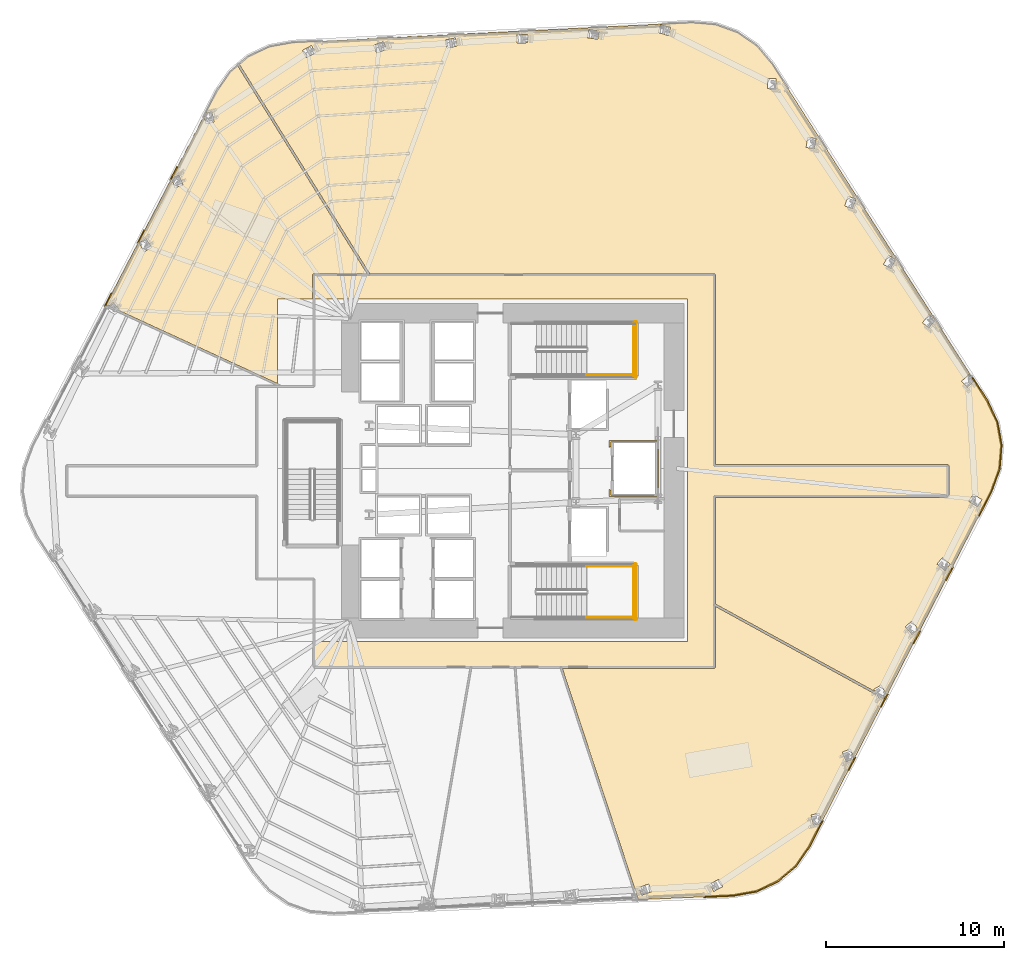
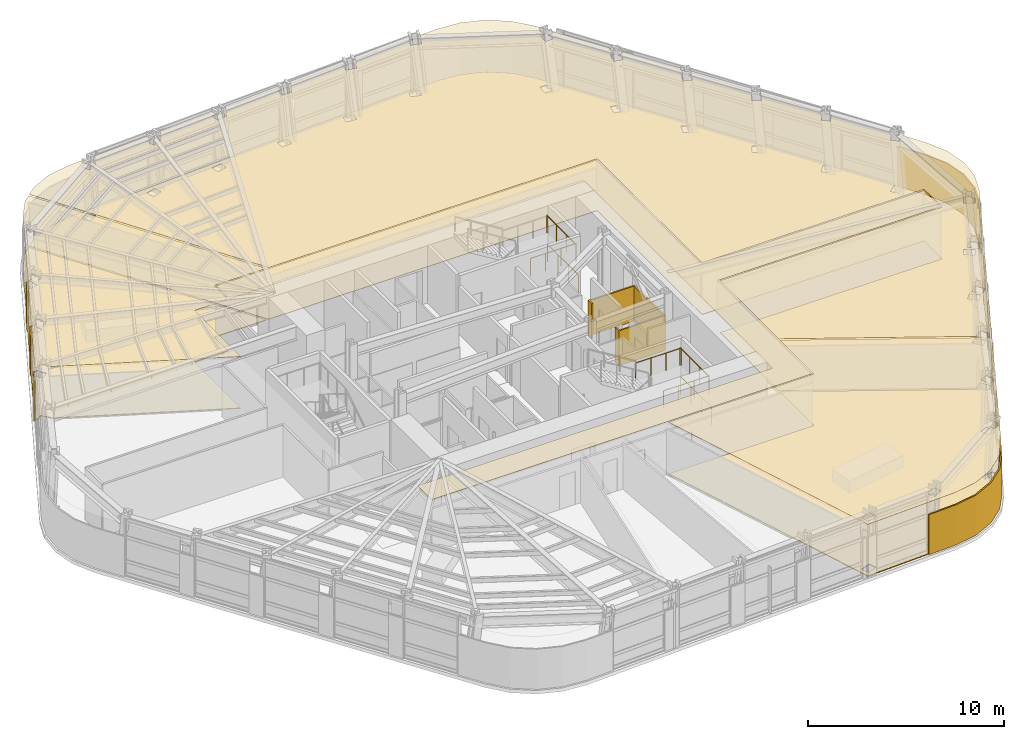
# One storey, part 13 of 15: 17 coverings, 7 railings.
"""IFC4 building model written with IfcOpenShell, lengths in metres."""

from ifc_helpers import new_model, si_unit, direction, frame, origin, origin_2d, place, context, subcontext, project, spatial, polyline, circle, outline, extrude, material, layer, layer_set, type_object, element, save


model = new_model("IFC4")

# Units and contexts
model_context = context("Model", 3, precision=1e-05, world=origin(), true_north=direction((0.0, 1.0)))
body_context = subcontext(model_context, "Body", "Model", "MODEL_VIEW")
ifc_project = project(units=[si_unit("LENGTHUNIT", "METRE"), si_unit("AREAUNIT", "SQUARE_METRE"), si_unit("VOLUMEUNIT", "CUBIC_METRE"), si_unit("PLANEANGLEUNIT", "RADIAN"), si_unit("MASSUNIT", "GRAM", prefix="KILO")], contexts=[model_context])

# Site, building, storey
site_placement = place(None, origin())
site = spatial("IfcSite", under=ifc_project, at=site_placement, CompositionType="ELEMENT")
building_placement = place(site_placement, origin())
building = spatial("IfcBuilding", under=site, at=building_placement, Name="Valkerne Bourse Tower", CompositionType="ELEMENT")
storey_placement = place(building_placement, frame((0.0, 0.0, 35.39990234375)))
storey = spatial("IfcBuildingStorey", under=building, at=storey_placement, Name="L08", CompositionType="ELEMENT", Elevation=35.39990234375)

# Coverings
ifc_material_1 = material(Name="Mineral Fiber Acoustic Ceiling Tile", Category="acoustic")
ifc_layer_1 = layer(ifc_material_1, 0.02490234375)
ifc_layer_set_1 = layer_set([ifc_layer_1], Name="Mineral Fiber Acoustic Ceiling Tile")
covering_type_1 = type_object("IfcCoveringType", Name="COV-CEIL-ACT", PredefinedType="CEILING", material=ifc_layer_set_1)
covering_1_placement = place(storey_placement, frame((0.0, 0.0, 3.22998046875)))
element("IfcCovering", 1, at=covering_1_placement, inside=storey, type_object=covering_type_1, Name="L08 Suspended Ceiling 05", PredefinedType="CEILING", context=body_context, shape_type="SweptSolid", body=[
    extrude(outline(polyline([(31.374267578125, 49.59619140625), (38.64599609375, 37.9189453125), (35.6494140625, 37.9189453125), (35.614013671875, 37.908935546875), (35.587890625, 37.880126953125), (35.5810546875, 37.8505859375), (35.5810546875, 36.5), (33.60009765625, 36.5), (33.60009765625, 31.767578125), (24.737060546875, 35.84912109375), (24.76904296875, 35.87646484375), (24.770263671875, 35.879638671875), (24.394287109375, 36.31640625), (24.15869140625, 36.115478515625), (23.98828125, 36.19384765625), (27.659912109375, 43.2607421875), (27.86865234375, 42.743408203125), (28.296875, 42.913818359375), (28.299072265625, 42.91650390625), (28.08349609375, 43.451171875), (27.67431640625, 43.2880859375), (29.494384765625, 46.791015625), (29.602294921875, 46.33837890625), (30.05078125, 46.443115234375), (30.0537109375, 46.445556640625), (29.919921875, 47.006103515625), (29.562744140625, 46.9228515625), (30.20361328125, 48.156494140625), (30.96240234375, 49.248046875), (31.374267578125, 49.59619140625)]), holes=[polyline([(26.537353515625, 39.392578125), (26.5390625, 39.3955078125), (26.240478515625, 39.888671875), (25.84521484375, 39.6513671875), (25.843505859375, 39.6484375), (26.14208984375, 39.155517578125), (26.537353515625, 39.392578125)])]), origin(), (0.0, 0.0, 1.0), 0.025146484375),
])
covering_2_placement = place(storey_placement, frame((0.0, 0.0, 3.22998046875)))
element("IfcCovering", 2, at=covering_2_placement, inside=storey, type_object=covering_type_1, Name="L08 Suspended Ceiling 06", PredefinedType="CEILING", context=body_context, shape_type="SweptSolid", body=[
    extrude(outline(polyline([(60.4736328125, 3.279541015625), (59.165771484375, 3.044189453125), (53.854248046875, 2.80810546875), (49.589111328125, 15.781005859375), (58.123779296875, 15.784912109375), (58.156005859375, 15.80908203125), (58.1689453125, 15.849365234375), (58.1689453125, 19.265380859375), (67.258544921875, 14.2783203125), (67.359619140625, 14.111328125), (67.456298828125, 14.169677734375), (67.67236328125, 14.051025390625), (64.124267578125, 7.131103515625), (63.997802734375, 7.66162109375), (63.54931640625, 7.556884765625), (63.54638671875, 7.554443359375), (63.68017578125, 6.993896484375), (64.10498046875, 7.093017578125), (63.433837890625, 5.7841796875), (62.675537109375, 4.693115234375), (61.66748046875, 3.84130859375), (60.4736328125, 3.279541015625)]), holes=[polyline([(54.58740234375, 3.25537109375), (54.430419921875, 3.690673828125), (54.427001953125, 3.689697265625), (53.88720703125, 3.494384765625), (54.044189453125, 3.05908203125), (54.047607421875, 3.060302734375), (54.58740234375, 3.25537109375)]), polyline([(58.58984375, 3.55078125), (58.369873046875, 3.957763671875), (58.366455078125, 3.9560546875), (57.86181640625, 3.682861328125), (58.08203125, 3.27587890625), (58.08544921875, 3.277587890625), (58.58984375, 3.55078125)]), polyline([(65.944580078125, 10.719482421875), (65.947021484375, 10.72216796875), (65.731201171875, 11.256591796875), (65.30322265625, 11.086181640625), (65.30078125, 11.08349609375), (65.516357421875, 10.548828125), (65.944580078125, 10.719482421875)])]), origin(), (0.0, 0.0, 1.0), 0.025146484375),
])
covering_3_placement = place(storey_placement, frame((0.0, 0.0, 3.22998046875)))
element("IfcCovering", 3, at=covering_3_placement, inside=storey, type_object=covering_type_1, Name="L08 Suspended Ceiling 08", PredefinedType="CEILING", context=body_context, shape_type="SweptSolid", body=[
    extrude(outline(polyline([(34.472412109375, 50.89697265625), (56.8564453125, 52.01318359375), (58.1806640625, 51.902099609375), (59.422119140625, 51.455078125), (60.505615234375, 50.701904296875), (61.363525390625, 49.68701171875), (72.593994140625, 32.08935546875), (72.40771484375, 32.2861328125), (71.9873046875, 31.89208984375), (71.988037109375, 31.888427734375), (72.3046875, 31.553955078125), (72.69970703125, 31.923828125), (73.420166015625, 30.79443359375), (73.986083984375, 29.591796875), (74.2197265625, 28.293212890625), (74.109375, 26.97802734375), (73.6591796875, 25.7275390625), (67.726318359375, 14.156005859375), (67.573486328125, 14.239990234375), (67.754638671875, 14.3486328125), (67.756591796875, 14.3515625), (67.457763671875, 14.844482421875), (67.062744140625, 14.607421875), (67.060791015625, 14.6044921875), (67.136474609375, 14.479736328125), (58.1689453125, 19.400146484375), (58.1689453125, 25.381103515625), (71.210205078125, 25.381591796875), (71.251708984375, 25.40380859375), (71.26904296875, 25.44921875), (71.26904296875, 27.15087890625), (71.251220703125, 27.196533203125), (71.22900390625, 27.212646484375), (71.200439453125, 27.218994140625), (58.1689453125, 27.218994140625), (58.1689453125, 37.8505859375), (58.156005859375, 37.890869140625), (58.122802734375, 37.915283203125), (38.784912109375, 37.9189453125), (31.46533203125, 49.673095703125), (31.97021484375, 50.099853515625), (33.164306640625, 50.66162109375), (34.472412109375, 50.89697265625)]), holes=[polyline([(35.233642578125, 50.0439453125), (35.738037109375, 50.317138671875), (35.51806640625, 50.72412109375), (35.5146484375, 50.722412109375), (35.010009765625, 50.44921875), (35.230224609375, 50.042236328125), (35.233642578125, 50.0439453125)]), polyline([(39.173095703125, 50.310302734375), (39.712890625, 50.505615234375), (39.555908203125, 50.94091796875), (39.552490234375, 50.939697265625), (39.0126953125, 50.74462890625), (39.169677734375, 50.309326171875), (39.173095703125, 50.310302734375)]), polyline([(43.677734375, 50.692626953125), (43.5927734375, 51.1474609375), (43.589111328125, 51.14697265625), (43.02490234375, 51.041015625), (43.110107421875, 50.586181640625), (43.11328125, 50.5869140625), (43.677734375, 50.692626953125)]), polyline([(47.63330078125, 50.8828125), (47.62451171875, 51.345458984375), (47.620849609375, 51.345703125), (47.046875, 51.33447265625), (47.0556640625, 50.871826171875), (47.05908203125, 50.87158203125), (47.63330078125, 50.8828125)]), polyline([(51.647216796875, 51.53857421875), (51.643798828125, 51.539306640625), (51.07568359375, 51.620361328125), (51.010009765625, 51.162353515625), (51.013427734375, 51.16162109375), (51.581787109375, 51.08056640625), (51.647216796875, 51.53857421875)]), polyline([(69.55615234375, 17.982666015625), (69.5576171875, 17.986083984375), (69.181396484375, 18.4228515625), (68.8310546875, 18.12353515625), (68.82958984375, 18.120361328125), (69.205810546875, 17.68359375), (69.55615234375, 17.982666015625)]), polyline([(71.347900390625, 21.616943359375), (71.3486328125, 21.62060546875), (70.9072265625, 21.9912109375), (70.609375, 21.6396484375), (70.6083984375, 21.635986328125), (71.0498046875, 21.265380859375), (71.347900390625, 21.616943359375)]), polyline([(73.13037109375, 25.2509765625), (72.638671875, 25.551513671875), (72.396484375, 25.159912109375), (72.396240234375, 25.156005859375), (72.887939453125, 24.85546875), (73.130126953125, 25.247314453125), (73.13037109375, 25.2509765625)]), polyline([(70.51318359375, 35.335693359375), (70.511962890625, 35.339111328125), (70.148681640625, 35.623046875), (69.791748046875, 35.1708984375), (69.79296875, 35.16748046875), (70.15625, 34.883544921875), (70.51318359375, 35.335693359375)]), polyline([(68.289794921875, 38.729248046875), (67.885498046875, 38.950927734375), (67.60595703125, 38.447265625), (67.607666015625, 38.444091796875), (68.011962890625, 38.222412109375), (68.29150390625, 38.72607421875), (68.289794921875, 38.729248046875)]), polyline([(66.06005859375, 42.114013671875), (66.057861328125, 42.116943359375), (65.622802734375, 42.26904296875), (65.43017578125, 41.72607421875), (65.43212890625, 41.72314453125), (65.867431640625, 41.571044921875), (66.06005859375, 42.114013671875)]), polyline([(63.821044921875, 45.49560546875), (63.818359375, 45.498046875), (63.3642578125, 45.577880859375), (63.26171875, 45.010986328125), (63.264404296875, 45.0087890625), (63.71826171875, 44.9287109375), (63.821044921875, 45.49560546875)]), polyline([(61.574951171875, 48.869873046875), (61.114501953125, 48.88134765625), (61.096923828125, 48.3056640625), (61.10009765625, 48.303466796875), (61.560791015625, 48.2919921875), (61.578125, 48.867919921875), (61.574951171875, 48.869873046875)]), polyline([(55.660400390625, 51.730712890625), (55.65673828125, 51.73193359375), (55.107421875, 51.89697265625), (54.97412109375, 51.4541015625), (54.9775390625, 51.45263671875), (55.527099609375, 51.28759765625), (55.660400390625, 51.730712890625)])]), origin(), (0.0, 0.0, 1.0), 0.025146484375),
])
ifc_material_2 = material(Name="Bronze Anodised Aluminium AA 6063-T6", Category="aluminium")
ifc_layer_2 = layer(ifc_material_2, 0.030029296875)
ifc_layer_set_2 = layer_set([ifc_layer_2], Name="Bronze Anodised Aluminium AA 6063-T6")
covering_type_2 = type_object("IfcCoveringType", Name="COV-CEIL-METAL", PredefinedType="CEILING", material=ifc_layer_set_2)
covering_4_placement = place(storey_placement, frame((0.0, 0.0, 3.22998046875)))
element("IfcCovering", 4, at=covering_4_placement, inside=storey, type_object=covering_type_2, Name="L08 Suspended Ceiling 01", PredefinedType="CEILING", context=body_context, shape_type="SweptSolid", body=[
    extrude(outline(polyline([(71.196044921875, 27.14599609375), (71.196044921875, 25.4541015625), (58.095947265625, 25.4541015625), (58.095947265625, 15.85400390625), (35.654052734375, 15.85400390625), (35.654052734375, 17.300048828125), (56.60009765625, 17.300048828125), (56.60009765625, 36.5), (35.654052734375, 36.5), (35.654052734375, 37.845947265625), (58.095947265625, 37.845947265625), (58.095947265625, 27.14599609375), (71.196044921875, 27.14599609375)])), origin(), (0.0, 0.0, 1.0), 0.025146484375),
])
ifc_layer_3 = layer(ifc_material_2, 0.06005859375)
ifc_layer_set_3 = layer_set([ifc_layer_3], Name="Bronze Anodised Aluminium AA 6063-T6")
covering_type_3 = type_object("IfcCoveringType", Name="COV-CRN-ALUM", PredefinedType="CLADDING", material=ifc_layer_set_3)
covering_5_placement = place(storey_placement, origin())
element("IfcCovering", 5, at=covering_5_placement, inside=storey, type_object=covering_type_3, Name="L08 Wind-Shaped Corner Aluminium Cladding 01", PredefinedType="CLADDING", context=body_context, shape_type="SweptSolid", body=[
    extrude(outline(polyline([(62.708251953125, 4.6630859375), (61.69140625, 3.803955078125), (60.487060546875, 3.2373046875), (59.170654296875, 3.00048828125), (57.515869140625, 2.9267578125), (57.51220703125, 3.0068359375), (59.161865234375, 3.080078125), (60.462646484375, 3.314208984375), (61.64794921875, 3.871826171875), (62.648681640625, 4.717529296875), (63.40283203125, 5.802734375), (64.15625, 7.272216796875), (64.227294921875, 7.235595703125), (63.4716796875, 5.76171875), (62.708251953125, 4.6630859375)])), origin(), (0.0, 0.0, 1.0), 2.5),
])
covering_6_placement = place(storey_placement, origin())
element("IfcCovering", 6, at=covering_6_placement, inside=storey, type_object=covering_type_3, Name="L08 Wind-Shaped Corner Aluminium Cladding 13", PredefinedType="CLADDING", context=body_context, shape_type="SweptSolid", body=[
    extrude(outline(polyline([(24.27880859375, 36.848388671875), (24.349853515625, 36.8115234375), (23.962646484375, 36.066162109375), (23.8916015625, 36.102783203125), (24.27880859375, 36.848388671875)])), origin(), (0.0, 0.0, 1.0), 2.5),
])
covering_7_placement = place(storey_placement, origin())
element("IfcCovering", 7, at=covering_7_placement, inside=storey, type_object=covering_type_3, Name="L08 Wind-Shaped Corner Aluminium Cladding 14", PredefinedType="CLADDING", context=body_context, shape_type="SweptSolid", body=[
    extrude(outline(polyline([(26.12109375, 40.394287109375), (26.1923828125, 40.357666015625), (25.804931640625, 39.612060546875), (25.73388671875, 39.648681640625), (26.12109375, 40.394287109375)])), origin(), (0.0, 0.0, 1.0), 2.5),
])
covering_8_placement = place(storey_placement, origin())
element("IfcCovering", 8, at=covering_8_placement, inside=storey, type_object=covering_type_3, Name="L08 Wind-Shaped Corner Aluminium Cladding 15", PredefinedType="CLADDING", context=body_context, shape_type="SweptSolid", body=[
    extrude(outline(polyline([(27.96337890625, 43.940185546875), (28.03466796875, 43.903564453125), (27.647216796875, 43.157958984375), (27.576171875, 43.194580078125), (27.96337890625, 43.940185546875)])), origin(), (0.0, 0.0, 1.0), 2.5),
])
covering_9_placement = place(storey_placement, origin())
element("IfcCovering", 9, at=covering_9_placement, inside=storey, type_object=covering_type_3, Name="L08 Wind-Shaped Corner Aluminium Cladding 26", PredefinedType="CLADDING", context=body_context, shape_type="SweptSolid", body=[
    extrude(outline(polyline([(73.458740234375, 30.81591796875), (74.0283203125, 29.605224609375), (74.26416015625, 28.295166015625), (74.15283203125, 26.96875), (73.69970703125, 25.7099609375), (72.9599609375, 24.267333984375), (72.888916015625, 24.303955078125), (73.626220703125, 25.74169921875), (74.073974609375, 26.98583984375), (74.18359375, 28.291259765625), (73.951416015625, 29.580810546875), (73.388671875, 30.777099609375), (72.519287109375, 32.13916015625), (72.586669921875, 32.182373046875), (73.458740234375, 30.81591796875)])), origin(), (0.0, 0.0, 1.0), 2.5),
])
covering_10_placement = place(storey_placement, origin())
element("IfcCovering", 10, at=covering_10_placement, inside=storey, type_object=covering_type_3, Name="L08 Wind-Shaped Corner Aluminium Cladding 27", PredefinedType="CLADDING", context=body_context, shape_type="SweptSolid", body=[
    extrude(outline(polyline([(71.13671875, 20.71142578125), (71.065673828125, 20.748291015625), (71.448974609375, 21.49560546875), (71.52001953125, 21.458984375), (71.13671875, 20.71142578125)])), origin(), (0.0, 0.0, 1.0), 2.5),
])
covering_11_placement = place(storey_placement, origin())
element("IfcCovering", 11, at=covering_11_placement, inside=storey, type_object=covering_type_3, Name="L08 Wind-Shaped Corner Aluminium Cladding 28", PredefinedType="CLADDING", context=body_context, shape_type="SweptSolid", body=[
    extrude(outline(polyline([(69.313720703125, 17.155517578125), (69.242431640625, 17.1923828125), (69.625732421875, 17.939697265625), (69.697021484375, 17.903076171875), (69.313720703125, 17.155517578125)])), origin(), (0.0, 0.0, 1.0), 2.5),
])
covering_12_placement = place(storey_placement, origin())
element("IfcCovering", 12, at=covering_12_placement, inside=storey, type_object=covering_type_3, Name="L08 Wind-Shaped Corner Aluminium Cladding 29", PredefinedType="CLADDING", context=body_context, shape_type="SweptSolid", body=[
    extrude(outline(polyline([(67.490478515625, 13.599609375), (67.41943359375, 13.636474609375), (67.802490234375, 14.384033203125), (67.873779296875, 14.347412109375), (67.490478515625, 13.599609375)])), origin(), (0.0, 0.0, 1.0), 2.5),
])
covering_13_placement = place(storey_placement, origin())
element("IfcCovering", 13, at=covering_13_placement, inside=storey, type_object=covering_type_3, Name="L08 Wind-Shaped Corner Aluminium Cladding 30", PredefinedType="CLADDING", context=body_context, shape_type="SweptSolid", body=[
    extrude(outline(polyline([(65.667236328125, 10.0439453125), (65.59619140625, 10.08056640625), (65.9794921875, 10.828125), (66.050537109375, 10.79150390625), (65.667236328125, 10.0439453125)])), origin(), (0.0, 0.0, 1.0), 2.5),
])
ifc_material_3 = material(Name="Galvanised Painted Steel", Category="steel")
ifc_layer_4 = layer(ifc_material_3, 0.044921875)
ifc_layer_set_4 = layer_set([ifc_layer_4], Name="Galvanised Painted Steel")
covering_type_4 = type_object("IfcCoveringType", Name="COV-FLR-RAF", PredefinedType="FLOORING", material=ifc_layer_set_4)
covering_14_placement = place(storey_placement, origin())
element("IfcCovering", 14, at=covering_14_placement, inside=storey, type_object=covering_type_4, Name="L08 Floor Finish 05", PredefinedType="FLOORING", context=body_context, shape_type="SweptSolid", body=[
    extrude(outline(polyline([(31.374267578125, 49.59619140625), (38.64599609375, 37.9189453125), (35.6494140625, 37.9189453125), (35.614013671875, 37.908935546875), (35.587890625, 37.880126953125), (35.5810546875, 37.8505859375), (35.5810546875, 36.5), (33.60009765625, 36.5), (33.60009765625, 31.767578125), (24.737060546875, 35.84912109375), (24.76904296875, 35.87646484375), (24.770263671875, 35.879638671875), (24.394287109375, 36.31640625), (24.15869140625, 36.115478515625), (23.98828125, 36.19384765625), (27.659912109375, 43.2607421875), (27.86865234375, 42.743408203125), (28.296875, 42.913818359375), (28.299072265625, 42.91650390625), (28.08349609375, 43.451171875), (27.67431640625, 43.2880859375), (29.494384765625, 46.791015625), (29.602294921875, 46.33837890625), (30.05078125, 46.443115234375), (30.0537109375, 46.445556640625), (29.919921875, 47.006103515625), (29.562744140625, 46.9228515625), (30.20361328125, 48.156494140625), (30.96240234375, 49.248046875), (31.374267578125, 49.59619140625)]), holes=[polyline([(26.537353515625, 39.392578125), (26.5390625, 39.3955078125), (26.240478515625, 39.888671875), (25.84521484375, 39.6513671875), (25.843505859375, 39.6484375), (26.14208984375, 39.155517578125), (26.537353515625, 39.392578125)])]), origin(), (0.0, 0.0, 1.0), 0.045166015625),
])
covering_15_placement = place(storey_placement, origin())
element("IfcCovering", 15, at=covering_15_placement, inside=storey, type_object=covering_type_4, Name="L08 Floor Finish 06", PredefinedType="FLOORING", context=body_context, shape_type="SweptSolid", body=[
    extrude(outline(polyline([(60.4736328125, 3.279541015625), (59.165771484375, 3.044189453125), (53.854248046875, 2.80810546875), (49.589111328125, 15.781005859375), (58.123779296875, 15.784912109375), (58.156005859375, 15.80908203125), (58.1689453125, 15.849365234375), (58.1689453125, 19.265380859375), (67.258544921875, 14.2783203125), (67.359619140625, 14.111328125), (67.456298828125, 14.169677734375), (67.67236328125, 14.051025390625), (64.124267578125, 7.131103515625), (63.997802734375, 7.66162109375), (63.54931640625, 7.556884765625), (63.54638671875, 7.554443359375), (63.68017578125, 6.993896484375), (64.10498046875, 7.093017578125), (63.433837890625, 5.7841796875), (62.675537109375, 4.693115234375), (61.66748046875, 3.84130859375), (60.4736328125, 3.279541015625)]), holes=[polyline([(54.58740234375, 3.25537109375), (54.430419921875, 3.690673828125), (54.427001953125, 3.689697265625), (53.88720703125, 3.494384765625), (54.044189453125, 3.05908203125), (54.047607421875, 3.060302734375), (54.58740234375, 3.25537109375)]), polyline([(58.58984375, 3.55078125), (58.369873046875, 3.957763671875), (58.366455078125, 3.9560546875), (57.86181640625, 3.682861328125), (58.08203125, 3.27587890625), (58.08544921875, 3.277587890625), (58.58984375, 3.55078125)]), polyline([(65.944580078125, 10.719482421875), (65.947021484375, 10.72216796875), (65.731201171875, 11.256591796875), (65.30322265625, 11.086181640625), (65.30078125, 11.08349609375), (65.516357421875, 10.548828125), (65.944580078125, 10.719482421875)])]), origin(), (0.0, 0.0, 1.0), 0.045166015625),
])
ifc_material_4 = material(Name="Polished Granite Stone", Category="masonry")
ifc_layer_5 = layer(ifc_material_4, 0.030029296875)
ifc_layer_set_5 = layer_set([ifc_layer_5], Name="Polished Granite Stone")
covering_type_5 = type_object("IfcCoveringType", Name="COV-FLR-TERRAZZO", PredefinedType="FLOORING", material=ifc_layer_set_5)
covering_16_placement = place(storey_placement, origin())
element("IfcCovering", 16, at=covering_16_placement, inside=storey, type_object=covering_type_5, Name="L08 Floor Finish 08", PredefinedType="FLOORING", context=body_context, shape_type="SweptSolid", body=[
    extrude(outline(polyline([(34.472412109375, 50.89697265625), (56.8564453125, 52.01318359375), (58.1806640625, 51.902099609375), (59.422119140625, 51.455078125), (60.505615234375, 50.701904296875), (61.363525390625, 49.68701171875), (72.593994140625, 32.08935546875), (72.40771484375, 32.2861328125), (71.9873046875, 31.89208984375), (71.988037109375, 31.888427734375), (72.3046875, 31.553955078125), (72.69970703125, 31.923828125), (73.420166015625, 30.79443359375), (73.986083984375, 29.591796875), (74.2197265625, 28.293212890625), (74.109375, 26.97802734375), (73.6591796875, 25.7275390625), (67.726318359375, 14.156005859375), (67.573486328125, 14.239990234375), (67.754638671875, 14.3486328125), (67.756591796875, 14.3515625), (67.457763671875, 14.844482421875), (67.062744140625, 14.607421875), (67.060791015625, 14.6044921875), (67.136474609375, 14.479736328125), (58.1689453125, 19.400146484375), (58.1689453125, 25.381103515625), (71.210205078125, 25.381591796875), (71.251708984375, 25.40380859375), (71.26904296875, 25.44921875), (71.26904296875, 27.15087890625), (71.251220703125, 27.196533203125), (71.22900390625, 27.212646484375), (71.200439453125, 27.218994140625), (58.1689453125, 27.218994140625), (58.1689453125, 37.8505859375), (58.156005859375, 37.890869140625), (58.122802734375, 37.915283203125), (38.784912109375, 37.9189453125), (31.46533203125, 49.673095703125), (31.97021484375, 50.099853515625), (33.164306640625, 50.66162109375), (34.472412109375, 50.89697265625)]), holes=[polyline([(35.233642578125, 50.0439453125), (35.738037109375, 50.317138671875), (35.51806640625, 50.72412109375), (35.5146484375, 50.722412109375), (35.010009765625, 50.44921875), (35.230224609375, 50.042236328125), (35.233642578125, 50.0439453125)]), polyline([(39.173095703125, 50.310302734375), (39.712890625, 50.505615234375), (39.555908203125, 50.94091796875), (39.552490234375, 50.939697265625), (39.0126953125, 50.74462890625), (39.169677734375, 50.309326171875), (39.173095703125, 50.310302734375)]), polyline([(43.677734375, 50.692626953125), (43.5927734375, 51.1474609375), (43.589111328125, 51.14697265625), (43.02490234375, 51.041015625), (43.110107421875, 50.586181640625), (43.11328125, 50.5869140625), (43.677734375, 50.692626953125)]), polyline([(47.63330078125, 50.8828125), (47.62451171875, 51.345458984375), (47.620849609375, 51.345703125), (47.046875, 51.33447265625), (47.0556640625, 50.871826171875), (47.05908203125, 50.87158203125), (47.63330078125, 50.8828125)]), polyline([(51.647216796875, 51.53857421875), (51.643798828125, 51.539306640625), (51.07568359375, 51.620361328125), (51.010009765625, 51.162353515625), (51.013427734375, 51.16162109375), (51.581787109375, 51.08056640625), (51.647216796875, 51.53857421875)]), polyline([(69.55615234375, 17.982666015625), (69.5576171875, 17.986083984375), (69.181396484375, 18.4228515625), (68.8310546875, 18.12353515625), (68.82958984375, 18.120361328125), (69.205810546875, 17.68359375), (69.55615234375, 17.982666015625)]), polyline([(71.347900390625, 21.616943359375), (71.3486328125, 21.62060546875), (70.9072265625, 21.9912109375), (70.609375, 21.6396484375), (70.6083984375, 21.635986328125), (71.0498046875, 21.265380859375), (71.347900390625, 21.616943359375)]), polyline([(73.13037109375, 25.2509765625), (72.638671875, 25.551513671875), (72.396484375, 25.159912109375), (72.396240234375, 25.156005859375), (72.887939453125, 24.85546875), (73.130126953125, 25.247314453125), (73.13037109375, 25.2509765625)]), polyline([(70.51318359375, 35.335693359375), (70.511962890625, 35.339111328125), (70.148681640625, 35.623046875), (69.791748046875, 35.1708984375), (69.79296875, 35.16748046875), (70.15625, 34.883544921875), (70.51318359375, 35.335693359375)]), polyline([(68.289794921875, 38.729248046875), (67.885498046875, 38.950927734375), (67.60595703125, 38.447265625), (67.607666015625, 38.444091796875), (68.011962890625, 38.222412109375), (68.29150390625, 38.72607421875), (68.289794921875, 38.729248046875)]), polyline([(66.06005859375, 42.114013671875), (66.057861328125, 42.116943359375), (65.622802734375, 42.26904296875), (65.43017578125, 41.72607421875), (65.43212890625, 41.72314453125), (65.867431640625, 41.571044921875), (66.06005859375, 42.114013671875)]), polyline([(63.821044921875, 45.49560546875), (63.818359375, 45.498046875), (63.3642578125, 45.577880859375), (63.26171875, 45.010986328125), (63.264404296875, 45.0087890625), (63.71826171875, 44.9287109375), (63.821044921875, 45.49560546875)]), polyline([(61.574951171875, 48.869873046875), (61.114501953125, 48.88134765625), (61.096923828125, 48.3056640625), (61.10009765625, 48.303466796875), (61.560791015625, 48.2919921875), (61.578125, 48.867919921875), (61.574951171875, 48.869873046875)]), polyline([(55.660400390625, 51.730712890625), (55.65673828125, 51.73193359375), (55.107421875, 51.89697265625), (54.97412109375, 51.4541015625), (54.9775390625, 51.45263671875), (55.527099609375, 51.28759765625), (55.660400390625, 51.730712890625)])]), origin(), (0.0, 0.0, 1.0), 0.030029296875),
])
ifc_material_5 = material(Name="Gypsum Shaftwall Liner Board", Category="gypsum")
ifc_layer_6 = layer(ifc_material_5, 0.080078125)
ifc_layer_set_6 = layer_set([ifc_layer_6], Name="Gypsum Shaftwall Liner Board")
covering_type_6 = type_object("IfcCoveringType", Name="COV-SHF-CLAD", PredefinedType="CLADDING", material=ifc_layer_set_6)
covering_17_placement = place(storey_placement, origin())
element("IfcCovering", 17, at=covering_17_placement, inside=storey, type_object=covering_type_6, Name="L08 Hoistway & Riser Shaftwall Liner 08", PredefinedType="CLADDING", context=body_context, shape_type="SweptSolid", body=[
    extrude(outline(polyline([(54.97998046875, 25.419921875), (52.219970703125, 25.419921875), (52.219970703125, 25.81787109375), (52.227783203125, 25.814208984375), (52.269287109375, 25.79931640625), (52.31005859375, 25.789306640625), (52.31005859375, 25.510009765625), (54.889892578125, 25.510009765625), (54.889892578125, 28.489990234375), (52.31005859375, 28.489990234375), (52.31005859375, 28.210693359375), (52.269287109375, 28.20068359375), (52.227783203125, 28.185791015625), (52.219970703125, 28.18212890625), (52.219970703125, 28.580078125), (54.97998046875, 28.580078125), (54.97998046875, 25.419921875)])), origin(), (0.0, 0.0, 1.0), 2.18017578125),
])

# Railings
railing_type = type_object("IfcRailingType", Name="RLG-ST-GUARD-1120", PredefinedType="GUARDRAIL", material=ifc_material_3)
for number, where, name in (
    (18, (50.949951171875, 18.64990234375, 1.900146484375), "L08 ST-1 stair guard 3"),
    (19, (50.949951171875, 21.5, 1.900146484375), "L08 ST-1 stair guard 4"),
):
    element("IfcRailing", number, at=place(storey_placement, frame(where)), inside=storey, type_object=railing_type, Name=name, PredefinedType="GUARDRAIL", context=body_context, shape_type="SweptSolid", body=[
        extrude(circle(Radius=0.02392578125, at=origin_2d()), frame((0.0, 0.0, 1.09619140625), z_axis=(1.0, 0.0, 0.0), x_axis=(0.0, 1.0, 0.0)), (0.0, 0.0, 1.0), 2.699951171875),
        extrude(circle(Radius=0.02099609375, at=origin_2d()), origin(), (0.0, 0.0, 1.0), 1.072021484375),
        extrude(circle(Radius=0.02099609375, at=origin_2d()), frame((0.89990234375, 0.0, 0.0)), (0.0, 0.0, 1.0), 1.072021484375),
        extrude(circle(Radius=0.02099609375, at=origin_2d()), frame((1.800048828125, 0.0, 0.0)), (0.0, 0.0, 1.0), 1.072021484375),
        extrude(circle(Radius=0.02099609375, at=origin_2d()), frame((2.699951171875, 0.0, 0.0)), (0.0, 0.0, 1.0), 1.072021484375),
    ])
railing_1_placement = place(storey_placement, frame((53.60009765625, 18.60009765625, 1.900146484375)))
element("IfcRailing", 20, at=railing_1_placement, inside=storey, type_object=railing_type, Name="L08 ST-1 stair guard 5", PredefinedType="GUARDRAIL", context=body_context, shape_type="SweptSolid", body=[
    extrude(circle(Radius=0.02392578125, at=origin_2d()), frame((0.0, 0.0, 1.09619140625), z_axis=(0.0, 1.0, 0.0), x_axis=(-1.0, 0.0, 0.0)), (0.0, 0.0, 1.0), 2.949951171875),
    extrude(circle(Radius=0.02099609375, at=origin_2d()), origin(), (0.0, 0.0, 1.0), 1.072021484375),
    extrude(circle(Radius=0.02099609375, at=origin_2d()), frame((0.0, 0.9833984375, 0.0)), (0.0, 0.0, 1.0), 1.072021484375),
    extrude(circle(Radius=0.02099609375, at=origin_2d()), frame((0.0, 1.966552734375, 0.0)), (0.0, 0.0, 1.0), 1.072021484375),
    extrude(circle(Radius=0.02099609375, at=origin_2d()), frame((0.0, 2.949951171875, 0.0)), (0.0, 0.0, 1.0), 1.072021484375),
])
railing_2_placement = place(storey_placement, frame((53.699951171875, 18.5, 0.0)))
element("IfcRailing", 21, at=railing_2_placement, inside=storey, type_object=railing_type, Name="L08 ST-1 stair guard 12", PredefinedType="GUARDRAIL", context=body_context, shape_type="SweptSolid", body=[
    extrude(circle(Radius=0.02392578125, at=origin_2d()), frame((0.0, 0.0, 1.09619140625), z_axis=(0.0, 1.0, 0.0), x_axis=(-1.0, 0.0, 0.0)), (0.0, 0.0, 1.0), 3.14990234375),
    extrude(circle(Radius=0.02099609375, at=origin_2d()), origin(), (0.0, 0.0, 1.0), 1.072021484375),
    extrude(circle(Radius=0.02099609375, at=origin_2d()), frame((0.0, 1.050048828125, 0.0)), (0.0, 0.0, 1.0), 1.072021484375),
    extrude(circle(Radius=0.02099609375, at=origin_2d()), frame((0.0, 2.099853515625, 0.0)), (0.0, 0.0, 1.0), 1.072021484375),
    extrude(circle(Radius=0.02099609375, at=origin_2d()), frame((0.0, 3.14990234375, 0.0)), (0.0, 0.0, 1.0), 1.072021484375),
])
railing_3_placement = place(storey_placement, frame((50.949951171875, 32.25, 1.900146484375)))
element("IfcRailing", 22, at=railing_3_placement, inside=storey, type_object=railing_type, Name="L08 ST-2 stair guard 3", PredefinedType="GUARDRAIL", context=body_context, shape_type="SweptSolid", body=[
    extrude(circle(Radius=0.02392578125, at=origin_2d()), frame((0.0, 0.0, 1.09619140625), z_axis=(1.0, 0.0, 0.0), x_axis=(0.0, 1.0, 0.0)), (0.0, 0.0, 1.0), 2.699951171875),
    extrude(circle(Radius=0.02099609375, at=origin_2d()), origin(), (0.0, 0.0, 1.0), 1.072021484375),
    extrude(circle(Radius=0.02099609375, at=origin_2d()), frame((0.89990234375, 0.0, 0.0)), (0.0, 0.0, 1.0), 1.072021484375),
    extrude(circle(Radius=0.02099609375, at=origin_2d()), frame((1.800048828125, 0.0, 0.0)), (0.0, 0.0, 1.0), 1.072021484375),
    extrude(circle(Radius=0.02099609375, at=origin_2d()), frame((2.699951171875, 0.0, 0.0)), (0.0, 0.0, 1.0), 1.072021484375),
])
railing_4_placement = place(storey_placement, frame((53.60009765625, 32.199951171875, 1.900146484375)))
element("IfcRailing", 23, at=railing_4_placement, inside=storey, type_object=railing_type, Name="L08 ST-2 stair guard 5", PredefinedType="GUARDRAIL", context=body_context, shape_type="SweptSolid", body=[
    extrude(circle(Radius=0.02392578125, at=origin_2d()), frame((0.0, 0.0, 1.09619140625), z_axis=(0.0, 1.0, 0.0), x_axis=(-1.0, 0.0, 0.0)), (0.0, 0.0, 1.0), 2.949951171875),
    extrude(circle(Radius=0.02099609375, at=origin_2d()), origin(), (0.0, 0.0, 1.0), 1.072021484375),
    extrude(circle(Radius=0.02099609375, at=origin_2d()), frame((0.0, 0.9833984375, 0.0)), (0.0, 0.0, 1.0), 1.072021484375),
    extrude(circle(Radius=0.02099609375, at=origin_2d()), frame((0.0, 1.966552734375, 0.0)), (0.0, 0.0, 1.0), 1.072021484375),
    extrude(circle(Radius=0.02099609375, at=origin_2d()), frame((0.0, 2.949951171875, 0.0)), (0.0, 0.0, 1.0), 1.072021484375),
])
railing_5_placement = place(storey_placement, frame((53.699951171875, 32.10009765625, 0.0)))
element("IfcRailing", 24, at=railing_5_placement, inside=storey, type_object=railing_type, Name="L08 ST-2 stair guard 12", PredefinedType="GUARDRAIL", context=body_context, shape_type="SweptSolid", body=[
    extrude(circle(Radius=0.02392578125, at=origin_2d()), frame((0.0, 0.0, 1.09619140625), z_axis=(0.0, 1.0, 0.0), x_axis=(-1.0, 0.0, 0.0)), (0.0, 0.0, 1.0), 3.14990234375),
    extrude(circle(Radius=0.02099609375, at=origin_2d()), origin(), (0.0, 0.0, 1.0), 1.072021484375),
    extrude(circle(Radius=0.02099609375, at=origin_2d()), frame((0.0, 1.050048828125, 0.0)), (0.0, 0.0, 1.0), 1.072021484375),
    extrude(circle(Radius=0.02099609375, at=origin_2d()), frame((0.0, 2.099853515625, 0.0)), (0.0, 0.0, 1.0), 1.072021484375),
    extrude(circle(Radius=0.02099609375, at=origin_2d()), frame((0.0, 3.14990234375, 0.0)), (0.0, 0.0, 1.0), 1.072021484375),
])

save(model, "model.ifc")
